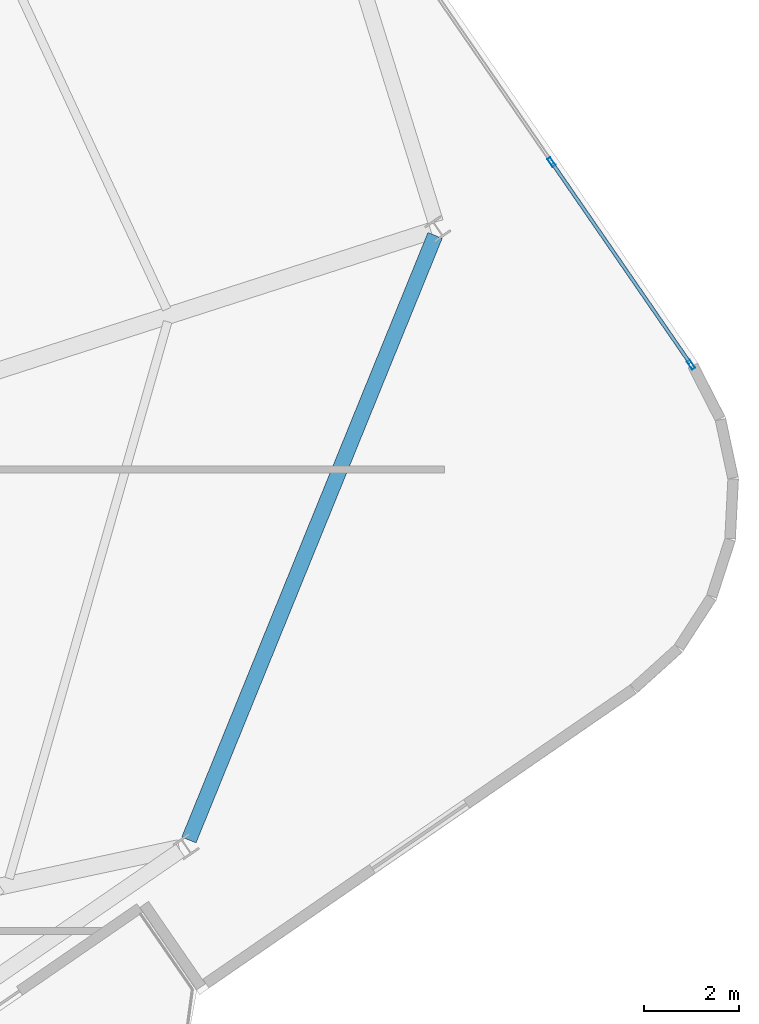
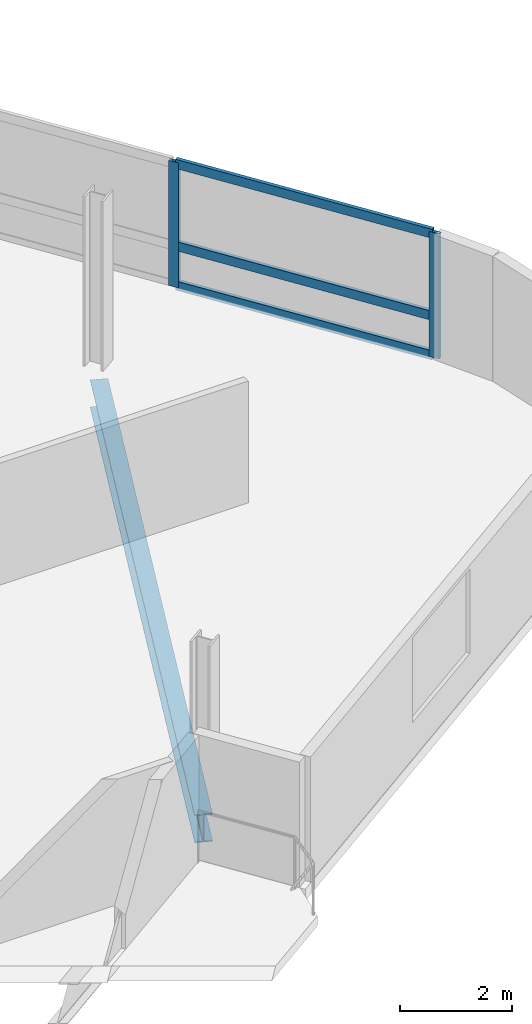
# One storey, part 11 of 22: 5 members, 1 beam, 1 element without a shape of its own.
"""IFC4 building model written with IfcOpenShell, lengths in metres."""

from ifc_helpers import new_model, si_unit, direction, frame, origin, origin_2d, place, context, subcontext, project, spatial, hollow_rectangle, i_section, extrude, material, layer, layer_set, material_profile, profile_set, type_object, element, aggregate, save


model = new_model("IFC4")

# Units and contexts
model_context = context("Model", 3, precision=1e-05, world=origin(), true_north=direction((0.0, 1.0)))
body_context = subcontext(model_context, "Body", "Model", "MODEL_VIEW")
ifc_project = project(units=[si_unit("LENGTHUNIT", "METRE"), si_unit("AREAUNIT", "SQUARE_METRE"), si_unit("VOLUMEUNIT", "CUBIC_METRE"), si_unit("PLANEANGLEUNIT", "RADIAN"), si_unit("MASSUNIT", "GRAM", prefix="KILO")], contexts=[model_context])

# Site, building, storey
site_placement = place(None, origin())
site = spatial("IfcSite", under=ifc_project, at=site_placement, CompositionType="ELEMENT")
building_placement = place(site_placement, origin())
building = spatial("IfcBuilding", under=site, at=building_placement, Name="Varnelok Gate Tower", CompositionType="ELEMENT")
storey_placement = place(building_placement, frame((0.0, 0.0, 284.10009765625)))
storey = spatial("IfcBuildingStorey", under=building, at=storey_placement, Name="L73", CompositionType="ELEMENT", Elevation=284.10009765625)

# Beam
ifc_material_1 = material(Name="Structural Steel ASTM A992 Grade 50", Category="steel")
ifc_material_profile_1 = material_profile(ifc_material_1, i_section(OverallWidth=0.323974609375, OverallDepth=0.611083984375, WebThickness=0.0126953125, FlangeThickness=0.01904296875, FilletRadius=0.01806640625, at=origin_2d()), Name="W24X104")
ifc_profile_set_1 = profile_set([ifc_material_profile_1], Name="Structural Steel ASTM A992 Grade 50")
beam_type = type_object("IfcBeamType", Name="BM-SPN-W24X104", PredefinedType="SPANDREL", material=ifc_profile_set_1)
beam_placement = place(storey_placement, frame((64.634765625, 21.20849609375, -0.5556640625), z_axis=(0.377167779659, 0.926144948692, 0.0), x_axis=(-0.926144948692, 0.377167779659, 0.0)))
element("IfcBeam", 1, at=beam_placement, inside=storey, type_object=beam_type, Name="L73 Perimeter Spandrel Beam 5", PredefinedType="SPANDREL", context=body_context, shape_type="SweptSolid", body=[
    extrude(i_section(OverallWidth=0.323974609375, OverallDepth=0.611083984375, WebThickness=0.0126953125, FlangeThickness=0.01904296875, FilletRadius=0.01806640625, at=origin_2d()), origin(), (0.0, 0.0, 1.0), 13.695556640625),
])

# Curtain wall, members
ifc_material_2 = material(Name="Anodized Aluminum Alloy 6063-T6", Category="aluminium")
ifc_layer = layer(ifc_material_2, 0.179931640625)
ifc_layer_set = layer_set([ifc_layer], Name="Anodized Aluminum Alloy 6063-T6")
curtain_wall_type = type_object("IfcCurtainWallType", Name="CW6-CROWN-LOOKOUT", PredefinedType="USERDEFINED", material=ifc_layer_set)
curtain_wall_placement = place(storey_placement, origin())
curtain_wall = element("IfcCurtainWall", 2, at=curtain_wall_placement, inside=storey, type_object=curtain_wall_type, Name="L73 East End Vision Curtain Wall", ObjectType="STRUCTURAL GLAZING", PredefinedType="USERDEFINED")
ifc_material_profile_2 = material_profile(ifc_material_2, hollow_rectangle(XDim=0.074951171875, YDim=0.199951171875, WallThickness=0.00390625, at=origin_2d()), Name="ALU200X75X4")
ifc_profile_set_2 = profile_set([ifc_material_profile_2], Name="Anodized Aluminum Alloy 6063-T6")
member_type_1 = type_object("IfcMemberType", Name="CW-MULL-200", PredefinedType="MULLION", material=ifc_profile_set_2)
member_1_placement = place(storey_placement, frame((72.2431640625, 35.432373046875, 0.0), z_axis=(0.0, 0.0, 1.0), x_axis=(0.823532290241, 0.567269395376, 0.0)))
member_1 = element("IfcMember", 3, at=member_1_placement, type_object=member_type_1, Name="CW6 mullion 6", PredefinedType="MULLION", context=body_context, shape_type="SweptSolid", body=[
    extrude(hollow_rectangle(XDim=0.074951171875, YDim=0.199951171875, WallThickness=0.00390625, at=origin_2d()), origin(), (0.0, 0.0, 1.0), 2.72998046875),
])
member_2_placement = place(storey_placement, frame((75.171630859375, 31.180908203125, 0.0), z_axis=(0.0, 0.0, 1.0), x_axis=(0.823532290241, 0.567269395376, 0.0)))
member_2 = element("IfcMember", 4, at=member_2_placement, type_object=member_type_1, Name="CW6 mullion 7", PredefinedType="MULLION", context=body_context, shape_type="SweptSolid", body=[
    extrude(hollow_rectangle(XDim=0.074951171875, YDim=0.199951171875, WallThickness=0.00390625, at=origin_2d()), origin(), (0.0, 0.0, 1.0), 2.72998046875),
])
ifc_material_profile_3 = material_profile(ifc_material_2, hollow_rectangle(XDim=0.074951171875, YDim=0.199951171875, WallThickness=0.00390625, at=origin_2d()), Name="ALU200X75X4")
ifc_profile_set_3 = profile_set([ifc_material_profile_3], Name="Anodized Aluminum Alloy 6063-T6")
member_type_2 = type_object("IfcMemberType", Name="CW-TRAN-200", PredefinedType="USERDEFINED", material=ifc_profile_set_3)
member_3_placement = place(storey_placement, frame((72.264404296875, 35.401611328125, 0.037353515625), z_axis=(0.567271968481, -0.823530517817, 0.0), x_axis=(0.823530517817, 0.567271968481, 0.0)))
member_3 = element("IfcMember", 5, at=member_3_placement, type_object=member_type_2, Name="CW6 transom 6.1", ObjectType="TRANSOM", PredefinedType="USERDEFINED", context=body_context, shape_type="SweptSolid", body=[
    extrude(hollow_rectangle(XDim=0.074951171875, YDim=0.199951171875, WallThickness=0.00390625, at=origin_2d()), origin(), (0.0, 0.0, 1.0), 5.08740234375),
])
member_4_placement = place(storey_placement, frame((72.264404296875, 35.401611328125, 0.89990234375), z_axis=(0.567271968481, -0.823530517817, 0.0), x_axis=(0.823530517817, 0.567271968481, 0.0)))
member_4 = element("IfcMember", 6, at=member_4_placement, type_object=member_type_2, Name="CW6 transom 6.2", ObjectType="TRANSOM", PredefinedType="USERDEFINED", context=body_context, shape_type="SweptSolid", body=[
    extrude(hollow_rectangle(XDim=0.074951171875, YDim=0.199951171875, WallThickness=0.00390625, at=origin_2d()), origin(), (0.0, 0.0, 1.0), 5.08740234375),
])
member_5_placement = place(storey_placement, frame((72.264404296875, 35.401611328125, 2.6923828125), z_axis=(0.567271968481, -0.823530517817, 0.0), x_axis=(0.823530517817, 0.567271968481, 0.0)))
member_5 = element("IfcMember", 7, at=member_5_placement, type_object=member_type_2, Name="CW6 transom 6.3", ObjectType="TRANSOM", PredefinedType="USERDEFINED", context=body_context, shape_type="SweptSolid", body=[
    extrude(hollow_rectangle(XDim=0.074951171875, YDim=0.199951171875, WallThickness=0.00390625, at=origin_2d()), origin(), (0.0, 0.0, 1.0), 5.08740234375),
])
aggregate(curtain_wall, [member_1, member_2, member_3, member_4, member_5])

save(model, "model.ifc")
